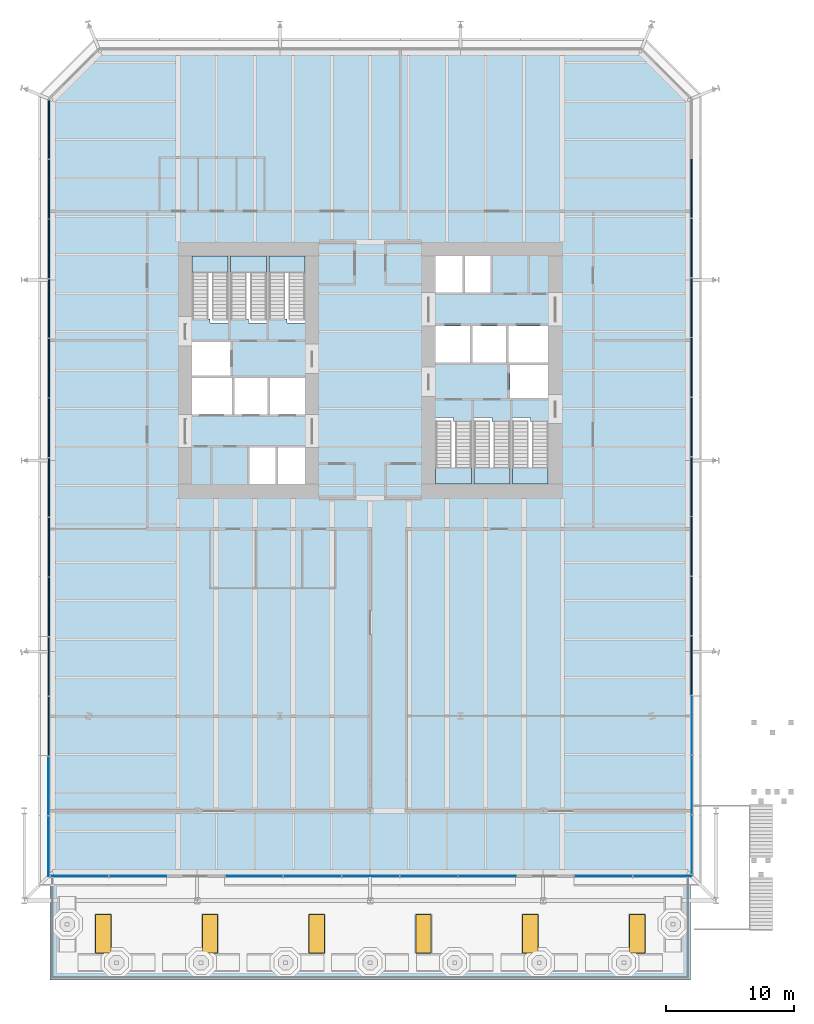
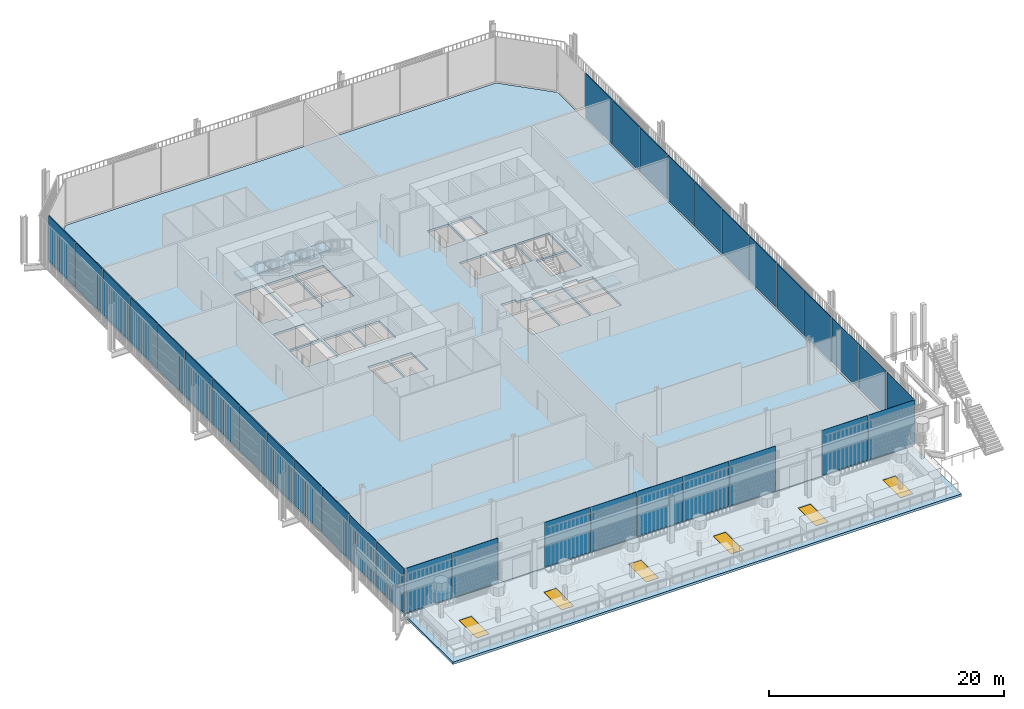
# One storey, part 17 of 25: 34 plates, 8 slabs, 6 windows, 6 openings, 12 elements without a shape of their own.
"""IFC4 building model written with IfcOpenShell, lengths in metres."""

from ifc_helpers import new_model, si_unit, direction, frame, origin, origin_2d, place, context, subcontext, project, spatial, polyline, rectangle, outline, extrude, material, layer, layer_set, type_object, element, fill, aggregate, save


model = new_model("IFC4")

# Units and contexts
model_context = context("Model", 3, precision=1e-05, world=origin(), true_north=direction((0.0, 1.0)))
body_context = subcontext(model_context, "Body", "Model", "MODEL_VIEW")
ifc_project = project(units=[si_unit("LENGTHUNIT", "METRE"), si_unit("AREAUNIT", "SQUARE_METRE"), si_unit("VOLUMEUNIT", "CUBIC_METRE"), si_unit("PLANEANGLEUNIT", "RADIAN"), si_unit("MASSUNIT", "GRAM", prefix="KILO")], contexts=[model_context])

# Site, building, storey
site_placement = place(None, origin())
site = spatial("IfcSite", under=ifc_project, at=site_placement, CompositionType="ELEMENT")
building_placement = place(site_placement, origin())
building = spatial("IfcBuilding", under=site, at=building_placement, Name="Millrace Tower", CompositionType="ELEMENT")
storey_placement = place(building_placement, frame((0.0, 0.0, 6.5)))
storey = spatial("IfcBuildingStorey", under=building, at=storey_placement, Name="L02", CompositionType="ELEMENT", Elevation=6.5)

# Curtain wall, plates
ifc_material_1 = material(Name="Aluminium and glass", Category="aluminium")
ifc_layer_1 = layer(ifc_material_1, 0.14990234375)
ifc_layer_set_1 = layer_set([ifc_layer_1], Name="Aluminium and glass")
curtain_wall_type_1 = type_object("IfcCurtainWallType", Name="CW-2 data hall insulated curtain wall", PredefinedType="NOTDEFINED", material=ifc_layer_set_1)
placement_1 = place(storey_placement, origin())
curtain_wall_1 = element("IfcCurtainWall", 1, at=placement_1, inside=storey, type_object=curtain_wall_type_1, Name="Curtain wall AW2-F02 L02 CW2", PredefinedType="NOTDEFINED")
ifc_material_2 = material(Name="Glass", Category="glass")
ifc_layer_2 = layer(ifc_material_2, 0.10009765625)
ifc_layer_set_2 = layer_set([ifc_layer_2], Name="Glass")
plate_type_1 = type_object("IfcPlateType", Name="CW-2 data hall insulated curtain wall insulated cassette with vision slot", PredefinedType="CURTAIN_PANEL", material=ifc_layer_set_2)
placement_2 = place(storey_placement, frame((0.0, 0.0, 0.159912109375)))
plate_1 = element("IfcPlate", 2, at=placement_2, type_object=plate_type_1, Name="CW2 panel AW2-F02.4", PredefinedType="CURTAIN_PANEL", context=body_context, shape_type="SweptSolid", body=[
    extrude(outline(polyline([(25.125, -25.36181640625), (25.125, -20.769287109375), (25.02490234375, -20.769287109375), (25.02490234375, -25.36181640625), (25.125, -25.36181640625)])), origin(), (0.0, 0.0, 1.0), 4.64013671875),
])
plate_2 = element("IfcPlate", 3, at=placement_2, type_object=plate_type_1, Name="CW2 panel AW2-F02.5", PredefinedType="CURTAIN_PANEL", context=body_context, shape_type="SweptSolid", body=[
    extrude(outline(polyline([(25.125, -20.704345703125), (25.125, -16.111572265625), (25.02490234375, -16.111572265625), (25.02490234375, -20.704345703125), (25.125, -20.704345703125)])), origin(), (0.0, 0.0, 1.0), 4.64013671875),
])
plate_3 = element("IfcPlate", 4, at=placement_2, type_object=plate_type_1, Name="CW2 panel AW2-F02.6", PredefinedType="CURTAIN_PANEL", context=body_context, shape_type="SweptSolid", body=[
    extrude(outline(polyline([(25.125, -16.046630859375), (25.125, -11.453857421875), (25.02490234375, -11.453857421875), (25.02490234375, -16.046630859375), (25.125, -16.046630859375)])), origin(), (0.0, 0.0, 1.0), 4.64013671875),
])
plate_4 = element("IfcPlate", 5, at=placement_2, type_object=plate_type_1, Name="CW2 panel AW2-F02.7", PredefinedType="CURTAIN_PANEL", context=body_context, shape_type="SweptSolid", body=[
    extrude(outline(polyline([(25.125, -11.388916015625), (25.125, -6.796142578125), (25.02490234375, -6.796142578125), (25.02490234375, -11.388916015625), (25.125, -11.388916015625)])), origin(), (0.0, 0.0, 1.0), 4.64013671875),
])
plate_5 = element("IfcPlate", 6, at=placement_2, type_object=plate_type_1, Name="CW2 panel AW2-F02.8", PredefinedType="CURTAIN_PANEL", context=body_context, shape_type="SweptSolid", body=[
    extrude(outline(polyline([(25.125, -6.731201171875), (25.125, -2.138427734375), (25.02490234375, -2.138427734375), (25.02490234375, -6.731201171875), (25.125, -6.731201171875)])), origin(), (0.0, 0.0, 1.0), 4.64013671875),
])
plate_6 = element("IfcPlate", 7, at=placement_2, type_object=plate_type_1, Name="CW2 panel AW2-F02.9", PredefinedType="CURTAIN_PANEL", context=body_context, shape_type="SweptSolid", body=[
    extrude(outline(polyline([(25.125, -2.073486328125), (25.125, 2.519287109375), (25.02490234375, 2.519287109375), (25.02490234375, -2.073486328125), (25.125, -2.073486328125)])), origin(), (0.0, 0.0, 1.0), 4.64013671875),
])
plate_7 = element("IfcPlate", 8, at=placement_2, type_object=plate_type_1, Name="CW2 panel AW2-F02.10", PredefinedType="CURTAIN_PANEL", context=body_context, shape_type="SweptSolid", body=[
    extrude(outline(polyline([(25.125, 2.584228515625), (25.125, 7.177001953125), (25.02490234375, 7.177001953125), (25.02490234375, 2.584228515625), (25.125, 2.584228515625)])), origin(), (0.0, 0.0, 1.0), 4.64013671875),
])
plate_8 = element("IfcPlate", 9, at=placement_2, type_object=plate_type_1, Name="CW2 panel AW2-F02.11", PredefinedType="CURTAIN_PANEL", context=body_context, shape_type="SweptSolid", body=[
    extrude(outline(polyline([(25.125, 7.241943359375), (25.125, 11.834716796875), (25.02490234375, 11.834716796875), (25.02490234375, 7.241943359375), (25.125, 7.241943359375)])), origin(), (0.0, 0.0, 1.0), 4.64013671875),
])
plate_9 = element("IfcPlate", 10, at=placement_2, type_object=plate_type_1, Name="CW2 panel AW2-F02.12", PredefinedType="CURTAIN_PANEL", context=body_context, shape_type="SweptSolid", body=[
    extrude(outline(polyline([(25.125, 11.899658203125), (25.125, 16.4921875), (25.02490234375, 16.4921875), (25.02490234375, 11.899658203125), (25.125, 11.899658203125)])), origin(), (0.0, 0.0, 1.0), 4.64013671875),
])
aggregate(curtain_wall_1, [plate_1, plate_2, plate_3, plate_4, plate_5, plate_6, plate_7, plate_8, plate_9])

curtain_wall_2 = element("IfcCurtainWall", 11, at=placement_1, inside=storey, type_object=curtain_wall_type_1, Name="Curtain wall AW2-F06 L02", PredefinedType="NOTDEFINED")
plate_10 = element("IfcPlate", 12, at=placement_2, type_object=plate_type_1, Name="CW2 panel AW2-F06.1", PredefinedType="CURTAIN_PANEL", context=body_context, shape_type="SweptSolid", body=[
    extrude(outline(polyline([(-25.125, 21.0849609375), (-25.125, 16.4921875), (-25.02490234375, 16.4921875), (-25.02490234375, 21.0849609375), (-25.125, 21.0849609375)])), origin(), (0.0, 0.0, 1.0), 4.64013671875),
])
plate_11 = element("IfcPlate", 13, at=placement_2, type_object=plate_type_1, Name="CW2 panel AW2-F06.2", PredefinedType="CURTAIN_PANEL", context=body_context, shape_type="SweptSolid", body=[
    extrude(outline(polyline([(-25.125, 16.42724609375), (-25.125, 11.834716796875), (-25.02490234375, 11.834716796875), (-25.02490234375, 16.42724609375), (-25.125, 16.42724609375)])), origin(), (0.0, 0.0, 1.0), 4.64013671875),
])
plate_12 = element("IfcPlate", 14, at=placement_2, type_object=plate_type_1, Name="CW2 panel AW2-F06.3", PredefinedType="CURTAIN_PANEL", context=body_context, shape_type="SweptSolid", body=[
    extrude(outline(polyline([(-25.125, 11.76953125), (-25.125, 7.177001953125), (-25.02490234375, 7.177001953125), (-25.02490234375, 11.76953125), (-25.125, 11.76953125)])), origin(), (0.0, 0.0, 1.0), 4.64013671875),
])
plate_13 = element("IfcPlate", 15, at=placement_2, type_object=plate_type_1, Name="CW2 panel AW2-F06.4", PredefinedType="CURTAIN_PANEL", context=body_context, shape_type="SweptSolid", body=[
    extrude(outline(polyline([(-25.125, 7.11181640625), (-25.125, 2.519287109375), (-25.02490234375, 2.519287109375), (-25.02490234375, 7.11181640625), (-25.125, 7.11181640625)])), origin(), (0.0, 0.0, 1.0), 4.64013671875),
])
plate_14 = element("IfcPlate", 16, at=placement_2, type_object=plate_type_1, Name="CW2 panel AW2-F06.5", PredefinedType="CURTAIN_PANEL", context=body_context, shape_type="SweptSolid", body=[
    extrude(outline(polyline([(-25.125, 2.454345703125), (-25.125, -2.138427734375), (-25.02490234375, -2.138427734375), (-25.02490234375, 2.454345703125), (-25.125, 2.454345703125)])), origin(), (0.0, 0.0, 1.0), 4.64013671875),
])
plate_15 = element("IfcPlate", 17, at=placement_2, type_object=plate_type_1, Name="CW2 panel AW2-F06.6", PredefinedType="CURTAIN_PANEL", context=body_context, shape_type="SweptSolid", body=[
    extrude(outline(polyline([(-25.125, -2.203369140625), (-25.125, -6.796142578125), (-25.02490234375, -6.796142578125), (-25.02490234375, -2.203369140625), (-25.125, -2.203369140625)])), origin(), (0.0, 0.0, 1.0), 4.64013671875),
])
plate_16 = element("IfcPlate", 18, at=placement_2, type_object=plate_type_1, Name="CW2 panel AW2-F06.7", PredefinedType="CURTAIN_PANEL", context=body_context, shape_type="SweptSolid", body=[
    extrude(outline(polyline([(-25.125, -6.861083984375), (-25.125, -11.453857421875), (-25.02490234375, -11.453857421875), (-25.02490234375, -6.861083984375), (-25.125, -6.861083984375)])), origin(), (0.0, 0.0, 1.0), 4.64013671875),
])
plate_17 = element("IfcPlate", 19, at=placement_2, type_object=plate_type_1, Name="CW2 panel AW2-F06.8", PredefinedType="CURTAIN_PANEL", context=body_context, shape_type="SweptSolid", body=[
    extrude(outline(polyline([(-25.125, -11.518798828125), (-25.125, -16.111572265625), (-25.02490234375, -16.111572265625), (-25.02490234375, -11.518798828125), (-25.125, -11.518798828125)])), origin(), (0.0, 0.0, 1.0), 4.64013671875),
])
plate_18 = element("IfcPlate", 20, at=placement_2, type_object=plate_type_1, Name="CW2 panel AW2-F06.9", PredefinedType="CURTAIN_PANEL", context=body_context, shape_type="SweptSolid", body=[
    extrude(outline(polyline([(-25.125, -16.176513671875), (-25.125, -20.769287109375), (-25.02490234375, -20.769287109375), (-25.02490234375, -16.176513671875), (-25.125, -16.176513671875)])), origin(), (0.0, 0.0, 1.0), 4.64013671875),
])
aggregate(curtain_wall_2, [plate_10, plate_11, plate_12, plate_13, plate_14, plate_15, plate_16, plate_17, plate_18])

ifc_material_3 = material(Name="Aluminium and glass", Category="aluminium")
ifc_layer_3 = layer(ifc_material_3, 0.14990234375)
ifc_layer_set_3 = layer_set([ifc_layer_3], Name="Aluminium and glass")
curtain_wall_type_2 = type_object("IfcCurtainWallType", Name="CW-5 truss and plant storey louvred infill", PredefinedType="NOTDEFINED", material=ifc_layer_set_3)
curtain_wall_3 = element("IfcCurtainWall", 21, at=placement_1, inside=storey, type_object=curtain_wall_type_2, Name="Curtain wall AW2-F06 L02 CW5", PredefinedType="NOTDEFINED")
ifc_material_4 = material(Name="Glass", Category="glass")
ifc_layer_4 = layer(ifc_material_4, 0.090087890625)
ifc_layer_set_4 = layer_set([ifc_layer_4], Name="Glass")
plate_type_2 = type_object("IfcPlateType", Name="CW-5 truss and plant storey louvred infill louvre cassette", PredefinedType="CURTAIN_PANEL", material=ifc_layer_set_4)
placement_3 = place(storey_placement, frame((0.0, 0.0, 0.139892578125)))
plate_19 = element("IfcPlate", 22, at=placement_3, type_object=plate_type_2, Name="CW5 panel AW2-F06.10", PredefinedType="CURTAIN_PANEL", context=body_context, shape_type="SweptSolid", body=[
    extrude(outline(polyline([(-25.1201171875, -20.834228515625), (-25.1201171875, -25.427001953125), (-25.030029296875, -25.427001953125), (-25.030029296875, -20.834228515625), (-25.1201171875, -20.834228515625)])), origin(), (0.0, 0.0, 1.0), 4.66015625),
])
plate_20 = element("IfcPlate", 23, at=placement_3, type_object=plate_type_2, Name="CW5 panel AW2-F06.11", PredefinedType="CURTAIN_PANEL", context=body_context, shape_type="SweptSolid", body=[
    extrude(outline(polyline([(-25.1201171875, -25.491943359375), (-25.1201171875, -30.084716796875), (-25.030029296875, -30.084716796875), (-25.030029296875, -25.491943359375), (-25.1201171875, -25.491943359375)])), origin(), (0.0, 0.0, 1.0), 4.66015625),
])
aggregate(curtain_wall_3, [plate_19, plate_20])

ifc_material_5 = material(Name="Aluminium and glass", Category="aluminium")
ifc_layer_5 = layer(ifc_material_5, 0.199951171875)
ifc_layer_set_5 = layer_set([ifc_layer_5], Name="Aluminium and glass")
curtain_wall_type_3 = type_object("IfcCurtainWallType", Name="CW-6 lobby and cascade wing storefront", PredefinedType="NOTDEFINED", material=ifc_layer_set_5)
curtain_wall_4 = element("IfcCurtainWall", 24, at=placement_1, inside=storey, type_object=curtain_wall_type_3, Name="Curtain wall AW2-F01 L02", PredefinedType="NOTDEFINED")
ifc_material_6 = material(Name="Glass", Category="glass")
ifc_layer_6 = layer(ifc_material_6, 0.035888671875)
ifc_layer_set_6 = layer_set([ifc_layer_6], Name="Glass")
plate_type_3 = type_object("IfcPlateType", Name="CW-6 lobby and cascade wing storefront laminated glazed storefront panel", PredefinedType="CURTAIN_PANEL", material=ifc_layer_set_6)
placement_4 = place(storey_placement, frame((0.0, 0.0, 0.14990234375)))
plate_21 = element("IfcPlate", 25, at=placement_4, type_object=plate_type_3, Name="CW6 panel AW2-F01.1", PredefinedType="CURTAIN_PANEL", context=body_context, shape_type="SweptSolid", body=[
    extrude(outline(polyline([(-24.925048828125, -39.51806640625), (-20.45458984375, -39.51806640625), (-20.45458984375, -39.48193359375), (-24.925048828125, -39.48193359375), (-24.925048828125, -39.51806640625)])), origin(), (0.0, 0.0, 1.0), 4.650146484375),
])
plate_22 = element("IfcPlate", 26, at=placement_4, type_object=plate_type_3, Name="CW6 panel AW2-F01.2", PredefinedType="CURTAIN_PANEL", context=body_context, shape_type="SweptSolid", body=[
    extrude(outline(polyline([(-20.379638671875, -39.51806640625), (-15.9091796875, -39.51806640625), (-15.9091796875, -39.48193359375), (-20.379638671875, -39.48193359375), (-20.379638671875, -39.51806640625)])), origin(), (0.0, 0.0, 1.0), 4.650146484375),
])
plate_23 = element("IfcPlate", 27, at=placement_4, type_object=plate_type_3, Name="CW6 panel AW2-F01.4", PredefinedType="CURTAIN_PANEL", context=body_context, shape_type="SweptSolid", body=[
    extrude(outline(polyline([(-11.28857421875, -39.51806640625), (-6.818115234375, -39.51806640625), (-6.818115234375, -39.48193359375), (-11.28857421875, -39.48193359375), (-11.28857421875, -39.51806640625)])), origin(), (0.0, 0.0, 1.0), 4.650146484375),
])
plate_24 = element("IfcPlate", 28, at=placement_4, type_object=plate_type_3, Name="CW6 panel AW2-F01.5", PredefinedType="CURTAIN_PANEL", context=body_context, shape_type="SweptSolid", body=[
    extrude(outline(polyline([(-6.7431640625, -39.51806640625), (-2.272705078125, -39.51806640625), (-2.272705078125, -39.48193359375), (-6.7431640625, -39.48193359375), (-6.7431640625, -39.51806640625)])), origin(), (0.0, 0.0, 1.0), 4.650146484375),
])
plate_25 = element("IfcPlate", 29, at=placement_4, type_object=plate_type_3, Name="CW6 panel AW2-F01.6", PredefinedType="CURTAIN_PANEL", context=body_context, shape_type="SweptSolid", body=[
    extrude(outline(polyline([(-2.19775390625, -39.51806640625), (2.272705078125, -39.51806640625), (2.272705078125, -39.48193359375), (-2.19775390625, -39.48193359375), (-2.19775390625, -39.51806640625)])), origin(), (0.0, 0.0, 1.0), 4.650146484375),
])
plate_26 = element("IfcPlate", 30, at=placement_4, type_object=plate_type_3, Name="CW6 panel AW2-F01.7", PredefinedType="CURTAIN_PANEL", context=body_context, shape_type="SweptSolid", body=[
    extrude(outline(polyline([(2.34765625, -39.51806640625), (6.818115234375, -39.51806640625), (6.818115234375, -39.48193359375), (2.34765625, -39.48193359375), (2.34765625, -39.51806640625)])), origin(), (0.0, 0.0, 1.0), 4.650146484375),
])
plate_27 = element("IfcPlate", 31, at=placement_4, type_object=plate_type_3, Name="CW6 panel AW2-F01.8", PredefinedType="CURTAIN_PANEL", context=body_context, shape_type="SweptSolid", body=[
    extrude(outline(polyline([(6.89306640625, -39.51806640625), (11.363525390625, -39.51806640625), (11.363525390625, -39.48193359375), (6.89306640625, -39.48193359375), (6.89306640625, -39.51806640625)])), origin(), (0.0, 0.0, 1.0), 4.650146484375),
])
plate_28 = element("IfcPlate", 32, at=placement_4, type_object=plate_type_3, Name="CW6 panel AW2-F01.10", PredefinedType="CURTAIN_PANEL", context=body_context, shape_type="SweptSolid", body=[
    extrude(outline(polyline([(15.984130859375, -39.51806640625), (20.45458984375, -39.51806640625), (20.45458984375, -39.48193359375), (15.984130859375, -39.48193359375), (15.984130859375, -39.51806640625)])), origin(), (0.0, 0.0, 1.0), 4.650146484375),
])
plate_29 = element("IfcPlate", 33, at=placement_4, type_object=plate_type_3, Name="CW6 panel AW2-F01.11", PredefinedType="CURTAIN_PANEL", context=body_context, shape_type="SweptSolid", body=[
    extrude(outline(polyline([(20.529541015625, -39.51806640625), (25.117919921875, -39.51806640625), (25.08203125, -39.48193359375), (20.529541015625, -39.48193359375), (20.529541015625, -39.51806640625)])), origin(), (0.0, 0.0, 1.0), 4.650146484375),
])
aggregate(curtain_wall_4, [plate_21, plate_22, plate_23, plate_24, plate_25, plate_26, plate_27, plate_28, plate_29])

curtain_wall_5 = element("IfcCurtainWall", 34, at=placement_1, inside=storey, type_object=curtain_wall_type_3, Name="Curtain wall AW2-F02 L02", PredefinedType="NOTDEFINED")
plate_30 = element("IfcPlate", 35, at=placement_4, type_object=plate_type_3, Name="CW6 panel AW2-F02.1", PredefinedType="CURTAIN_PANEL", context=body_context, shape_type="SweptSolid", body=[
    extrude(outline(polyline([(25.117919921875, -39.324951171875), (25.117919921875, -34.7421875), (25.08203125, -34.7421875), (25.08203125, -39.324951171875), (25.117919921875, -39.324951171875)])), origin(), (0.0, 0.0, 1.0), 4.650146484375),
])
plate_31 = element("IfcPlate", 36, at=placement_4, type_object=plate_type_3, Name="CW6 panel AW2-F02.2", PredefinedType="CURTAIN_PANEL", context=body_context, shape_type="SweptSolid", body=[
    extrude(outline(polyline([(25.117919921875, -34.667236328125), (25.117919921875, -30.084716796875), (25.08203125, -30.084716796875), (25.08203125, -34.667236328125), (25.117919921875, -34.667236328125)])), origin(), (0.0, 0.0, 1.0), 4.650146484375),
])
plate_32 = element("IfcPlate", 37, at=placement_4, type_object=plate_type_3, Name="CW6 panel AW2-F02.3", PredefinedType="CURTAIN_PANEL", context=body_context, shape_type="SweptSolid", body=[
    extrude(outline(polyline([(25.117919921875, -30.009521484375), (25.117919921875, -25.427001953125), (25.08203125, -25.427001953125), (25.08203125, -30.009521484375), (25.117919921875, -30.009521484375)])), origin(), (0.0, 0.0, 1.0), 4.650146484375),
])
aggregate(curtain_wall_5, [plate_30, plate_31, plate_32])

curtain_wall_6 = element("IfcCurtainWall", 38, at=placement_1, inside=storey, type_object=curtain_wall_type_3, Name="Curtain wall AW2-F06 L02 CW6", PredefinedType="NOTDEFINED")
plate_33 = element("IfcPlate", 39, at=placement_4, type_object=plate_type_3, Name="CW6 panel AW2-F06.12", PredefinedType="CURTAIN_PANEL", context=body_context, shape_type="SweptSolid", body=[
    extrude(outline(polyline([(-25.117919921875, -30.15966796875), (-25.117919921875, -34.7421875), (-25.08203125, -34.7421875), (-25.08203125, -30.15966796875), (-25.117919921875, -30.15966796875)])), origin(), (0.0, 0.0, 1.0), 4.650146484375),
])
plate_34 = element("IfcPlate", 40, at=placement_4, type_object=plate_type_3, Name="CW6 panel AW2-F06.13", PredefinedType="CURTAIN_PANEL", context=body_context, shape_type="SweptSolid", body=[
    extrude(outline(polyline([(-25.117919921875, -34.8173828125), (-25.117919921875, -39.51806640625), (-25.08203125, -39.48193359375), (-25.08203125, -34.8173828125), (-25.117919921875, -34.8173828125)])), origin(), (0.0, 0.0, 1.0), 4.650146484375),
])
aggregate(curtain_wall_6, [plate_33, plate_34])

# Slab, openings, windows
ifc_material_7 = material(Name="Concrete C40", Category="concrete")
ifc_layer_7 = layer(ifc_material_7, 0.25)
ifc_layer_set_7 = layer_set([ifc_layer_7], Name="Concrete C40")
slab_type_1 = type_object("IfcSlabType", Name="Cascade terrace roof slab 250 mm", PredefinedType="ROOF", material=ifc_layer_set_7)
slab_1_placement = place(storey_placement, frame((0.0, 0.0, -0.2900390625)))
slab_1 = element("IfcSlab", 41, at=slab_1_placement, inside=storey, type_object=slab_type_1, Name="Cascade garden terrace", PredefinedType="ROOF", context=body_context, shape_type="SweptSolid", body=[
    extrude(outline(polyline([(25.0, -47.60009765625), (-25.0, -47.60009765625), (-25.0, -39.39990234375), (25.0, -39.39990234375), (25.0, -47.60009765625)])), origin(), (0.0, 0.0, 1.0), 0.25),
])
opening_1_placement = place(slab_1_placement, frame((-20.833251953125, -44.0, 0.0)))
opening_1 = element("IfcOpeningElement", 42, at=opening_1_placement, cuts=slab_1, Name="Opening WK1", PredefinedType="OPENING", context=body_context, shape_type="SweptSolid", body=[
    extrude(rectangle(XDim=1.199951171875, YDim=3.0, at=origin_2d()), origin(), (0.0, 0.0, 1.0), 0.25),
])
opening_2_placement = place(slab_1_placement, frame((-12.5, -44.0, 0.0)))
opening_2 = element("IfcOpeningElement", 43, at=opening_2_placement, cuts=slab_1, Name="Opening WK1", PredefinedType="OPENING", context=body_context, shape_type="SweptSolid", body=[
    extrude(rectangle(XDim=1.199951171875, YDim=3.0, at=origin_2d()), origin(), (0.0, 0.0, 1.0), 0.25),
])
opening_3_placement = place(slab_1_placement, frame((-4.166748046875, -44.0, 0.0)))
opening_3 = element("IfcOpeningElement", 44, at=opening_3_placement, cuts=slab_1, Name="Opening WK1", PredefinedType="OPENING", context=body_context, shape_type="SweptSolid", body=[
    extrude(rectangle(XDim=1.199951171875, YDim=3.0, at=origin_2d()), origin(), (0.0, 0.0, 1.0), 0.25),
])
opening_4_placement = place(slab_1_placement, frame((4.166748046875, -44.0, 0.0)))
opening_4 = element("IfcOpeningElement", 45, at=opening_4_placement, cuts=slab_1, Name="Opening WK1", PredefinedType="OPENING", context=body_context, shape_type="SweptSolid", body=[
    extrude(rectangle(XDim=1.199951171875, YDim=3.0, at=origin_2d()), origin(), (0.0, 0.0, 1.0), 0.25),
])
opening_5_placement = place(slab_1_placement, frame((12.5, -44.0, 0.0)))
opening_5 = element("IfcOpeningElement", 46, at=opening_5_placement, cuts=slab_1, Name="Opening WK1", PredefinedType="OPENING", context=body_context, shape_type="SweptSolid", body=[
    extrude(rectangle(XDim=1.199951171875, YDim=3.0, at=origin_2d()), origin(), (0.0, 0.0, 1.0), 0.25),
])
opening_6_placement = place(slab_1_placement, frame((20.833251953125, -44.0, 0.0)))
opening_6 = element("IfcOpeningElement", 47, at=opening_6_placement, cuts=slab_1, Name="Opening WK1", PredefinedType="OPENING", context=body_context, shape_type="SweptSolid", body=[
    extrude(rectangle(XDim=1.199951171875, YDim=3.0, at=origin_2d()), origin(), (0.0, 0.0, 1.0), 0.25),
])
ifc_material_8 = material(Name="Laminated safety glass", Category="glass")
window_type = type_object("IfcWindowType", Name="Walk-on rooflight 1200 x 3000", PartitioningType="SINGLE_PANEL", PredefinedType="SKYLIGHT", material=ifc_material_8)
window_1_placement = place(opening_1_placement, frame((0.0, 0.0, 0.199951171875)))
window_1 = element("IfcWindow", 48, at=window_1_placement, inside=storey, type_object=window_type, Name="Walk-on rooflight L01 1.1", OverallHeight=3.0, OverallWidth=1.199951171875, PartitioningType="SINGLE_PANEL", PredefinedType="SKYLIGHT", context=body_context, shape_type="SweptSolid", body=[
    extrude(rectangle(XDim=1.199951171875, YDim=3.0, at=origin_2d()), origin(), (0.0, 0.0, 1.0), 0.050048828125),
])
fill(opening_1, window_1)
window_2_placement = place(opening_2_placement, frame((0.0, 0.0, 0.199951171875)))
window_2 = element("IfcWindow", 49, at=window_2_placement, inside=storey, type_object=window_type, Name="Walk-on rooflight L01 1.2", OverallHeight=3.0, OverallWidth=1.199951171875, PartitioningType="SINGLE_PANEL", PredefinedType="SKYLIGHT", context=body_context, shape_type="SweptSolid", body=[
    extrude(rectangle(XDim=1.199951171875, YDim=3.0, at=origin_2d()), origin(), (0.0, 0.0, 1.0), 0.050048828125),
])
fill(opening_2, window_2)
window_3_placement = place(opening_3_placement, frame((0.0, 0.0, 0.199951171875)))
window_3 = element("IfcWindow", 50, at=window_3_placement, inside=storey, type_object=window_type, Name="Walk-on rooflight L01 1.3", OverallHeight=3.0, OverallWidth=1.199951171875, PartitioningType="SINGLE_PANEL", PredefinedType="SKYLIGHT", context=body_context, shape_type="SweptSolid", body=[
    extrude(rectangle(XDim=1.199951171875, YDim=3.0, at=origin_2d()), origin(), (0.0, 0.0, 1.0), 0.050048828125),
])
fill(opening_3, window_3)
window_4_placement = place(opening_4_placement, frame((0.0, 0.0, 0.199951171875)))
window_4 = element("IfcWindow", 51, at=window_4_placement, inside=storey, type_object=window_type, Name="Walk-on rooflight L01 1.4", OverallHeight=3.0, OverallWidth=1.199951171875, PartitioningType="SINGLE_PANEL", PredefinedType="SKYLIGHT", context=body_context, shape_type="SweptSolid", body=[
    extrude(rectangle(XDim=1.199951171875, YDim=3.0, at=origin_2d()), origin(), (0.0, 0.0, 1.0), 0.050048828125),
])
fill(opening_4, window_4)
window_5_placement = place(opening_5_placement, frame((0.0, 0.0, 0.199951171875)))
window_5 = element("IfcWindow", 52, at=window_5_placement, inside=storey, type_object=window_type, Name="Walk-on rooflight L01 1.5", OverallHeight=3.0, OverallWidth=1.199951171875, PartitioningType="SINGLE_PANEL", PredefinedType="SKYLIGHT", context=body_context, shape_type="SweptSolid", body=[
    extrude(rectangle(XDim=1.199951171875, YDim=3.0, at=origin_2d()), origin(), (0.0, 0.0, 1.0), 0.050048828125),
])
fill(opening_5, window_5)
window_6_placement = place(opening_6_placement, frame((0.0, 0.0, 0.199951171875)))
window_6 = element("IfcWindow", 53, at=window_6_placement, inside=storey, type_object=window_type, Name="Walk-on rooflight L01 1.6", OverallHeight=3.0, OverallWidth=1.199951171875, PartitioningType="SINGLE_PANEL", PredefinedType="SKYLIGHT", context=body_context, shape_type="SweptSolid", body=[
    extrude(rectangle(XDim=1.199951171875, YDim=3.0, at=origin_2d()), origin(), (0.0, 0.0, 1.0), 0.050048828125),
])
fill(opening_6, window_6)

# Slab
ifc_material_9 = material(Name="Concrete C35 on steel deck", Category="concrete")
ifc_layer_8 = layer(ifc_material_9, 0.22509765625)
ifc_layer_set_8 = layer_set([ifc_layer_8], Name="Concrete C35 on steel deck")
slab_type_2 = type_object("IfcSlabType", Name="Composite floor slab 225 mm", PredefinedType="FLOOR", material=ifc_layer_set_8)
slab_2_placement = place(storey_placement, frame((0.0, 0.0, -0.22509765625)))
element("IfcSlab", 54, at=slab_2_placement, inside=storey, type_object=slab_type_2, Name="SL-A-L02-S1", PredefinedType="FLOOR", context=body_context, shape_type="SweptSolid", body=[
    extrude(outline(polyline([(-25.0, -39.39990234375), (25.0, -39.39990234375), (25.0, 21.14990234375), (21.14990234375, 25.0), (-21.14990234375, 25.0), (-25.0, 21.14990234375), (-25.0, -39.39990234375)]), holes=[polyline([(-9.39990234375, -8.89990234375), (-7.39990234375, -8.89990234375), (-7.39990234375, -6.050048828125), (-9.39990234375, -6.050048828125), (-9.39990234375, -8.89990234375)]), polyline([(-7.199951171875, -8.89990234375), (-5.10009765625, -8.89990234375), (-5.10009765625, -6.050048828125), (-7.199951171875, -6.050048828125), (-7.199951171875, -8.89990234375)]), polyline([(-13.89990234375, -3.449951171875), (-10.800048828125, -3.449951171875), (-10.800048828125, -0.60009765625), (-13.89990234375, -0.60009765625), (-13.89990234375, -3.449951171875)]), polyline([(-10.60009765625, -3.449951171875), (-8.0, -3.449951171875), (-8.0, -0.60009765625), (-10.60009765625, -0.60009765625), (-10.60009765625, -3.449951171875)]), polyline([(-7.800048828125, -3.449951171875), (-5.10009765625, -3.449951171875), (-5.10009765625, -0.60009765625), (-7.800048828125, -0.60009765625), (-7.800048828125, -3.449951171875)]), polyline([(-13.89990234375, -0.39990234375), (-10.89990234375, -0.39990234375), (-10.89990234375, 2.179931640625), (-13.89990234375, 2.179931640625), (-13.89990234375, -0.39990234375)]), polyline([(-11.10009765625, 8.89990234375), (-12.5, 8.89990234375), (-13.89990234375, 8.89990234375), (-13.89990234375, 4.0), (-12.5, 4.0), (-12.5, 3.679931640625), (-11.10009765625, 3.679931640625), (-11.10009765625, 8.89990234375)]), polyline([(-8.10009765625, 8.89990234375), (-9.5, 8.89990234375), (-10.89990234375, 8.89990234375), (-10.89990234375, 4.0), (-9.5, 4.0), (-9.5, 3.679931640625), (-8.10009765625, 3.679931640625), (-8.10009765625, 8.89990234375)]), polyline([(-5.10009765625, 8.89990234375), (-6.5, 8.89990234375), (-7.89990234375, 8.89990234375), (-7.89990234375, 4.0), (-6.5, 4.0), (-6.5, 3.679931640625), (-5.10009765625, 3.679931640625), (-5.10009765625, 8.89990234375)]), polyline([(7.39990234375, 6.050048828125), (9.39990234375, 6.050048828125), (9.39990234375, 8.89990234375), (7.39990234375, 8.89990234375), (7.39990234375, 6.050048828125)]), polyline([(5.10009765625, 6.050048828125), (7.199951171875, 6.050048828125), (7.199951171875, 8.89990234375), (5.10009765625, 8.89990234375), (5.10009765625, 6.050048828125)]), polyline([(10.800048828125, 0.60009765625), (13.89990234375, 0.60009765625), (13.89990234375, 3.449951171875), (10.800048828125, 3.449951171875), (10.800048828125, 0.60009765625)]), polyline([(8.0, 0.60009765625), (10.60009765625, 0.60009765625), (10.60009765625, 3.449951171875), (8.0, 3.449951171875), (8.0, 0.60009765625)]), polyline([(5.10009765625, 0.60009765625), (7.800048828125, 0.60009765625), (7.800048828125, 3.449951171875), (5.10009765625, 3.449951171875), (5.10009765625, 0.60009765625)]), polyline([(10.89990234375, -2.179931640625), (13.89990234375, -2.179931640625), (13.89990234375, 0.39990234375), (10.89990234375, 0.39990234375), (10.89990234375, -2.179931640625)]), polyline([(13.89990234375, -4.0), (12.5, -4.0), (12.5, -3.679931640625), (11.10009765625, -3.679931640625), (11.10009765625, -8.89990234375), (12.5, -8.89990234375), (13.89990234375, -8.89990234375), (13.89990234375, -4.0)]), polyline([(10.89990234375, -4.0), (9.5, -4.0), (9.5, -3.679931640625), (8.10009765625, -3.679931640625), (8.10009765625, -8.89990234375), (9.5, -8.89990234375), (10.89990234375, -8.89990234375), (10.89990234375, -4.0)]), polyline([(7.89990234375, -4.0), (6.5, -4.0), (6.5, -3.679931640625), (5.10009765625, -3.679931640625), (5.10009765625, -8.89990234375), (6.5, -8.89990234375), (7.89990234375, -8.89990234375), (7.89990234375, -4.0)])]), origin(), (0.0, 0.0, 1.0), 0.22509765625),
])

# Stair, slab
ifc_material_10 = material(Name="Concrete C35", Category="concrete")
stair_type = type_object("IfcStairType", Name="Exit stair", PredefinedType="HALF_TURN_STAIR", material=ifc_material_10)
stair_1 = element("IfcStair", 55, at=placement_1, inside=storey, type_object=stair_type, Name="Stair 1 W L02", PredefinedType="HALF_TURN_STAIR")
ifc_material_11 = material(Name="Concrete C40", Category="concrete")
ifc_layer_9 = layer(ifc_material_11, 0.199951171875)
ifc_layer_set_9 = layer_set([ifc_layer_9], Name="Concrete C40")
slab_type_3 = type_object("IfcSlabType", Name="Stair landing", PredefinedType="LANDING", material=ifc_layer_set_9)
placement_5 = place(storey_placement, frame((0.0, 0.0, 2.199951171875)))
slab_3 = element("IfcSlab", 56, at=placement_5, type_object=slab_type_3, Name="ST12 landing 1", PredefinedType="LANDING", context=body_context, shape_type="SweptSolid", body=[
    extrude(outline(polyline([(-13.89990234375, 7.639892578125), (-11.10009765625, 7.639892578125), (-11.10009765625, 8.89990234375), (-13.89990234375, 8.89990234375), (-13.89990234375, 7.639892578125)])), origin(), (0.0, 0.0, 1.0), 0.199951171875),
])
aggregate(stair_1, [slab_3])

stair_2 = element("IfcStair", 57, at=placement_1, inside=storey, type_object=stair_type, Name="Stair 2 W L02", PredefinedType="HALF_TURN_STAIR")
slab_4 = element("IfcSlab", 58, at=placement_5, type_object=slab_type_3, Name="ST12 landing 1", PredefinedType="LANDING", context=body_context, shape_type="SweptSolid", body=[
    extrude(outline(polyline([(-10.89990234375, 7.639892578125), (-8.10009765625, 7.639892578125), (-8.10009765625, 8.89990234375), (-10.89990234375, 8.89990234375), (-10.89990234375, 7.639892578125)])), origin(), (0.0, 0.0, 1.0), 0.199951171875),
])
aggregate(stair_2, [slab_4])

stair_3 = element("IfcStair", 59, at=placement_1, inside=storey, type_object=stair_type, Name="Stair 3 W L02", PredefinedType="HALF_TURN_STAIR")
slab_5 = element("IfcSlab", 60, at=placement_5, type_object=slab_type_3, Name="ST12 landing 1", PredefinedType="LANDING", context=body_context, shape_type="SweptSolid", body=[
    extrude(outline(polyline([(-7.89990234375, 7.639892578125), (-5.10009765625, 7.639892578125), (-5.10009765625, 8.89990234375), (-7.89990234375, 8.89990234375), (-7.89990234375, 7.639892578125)])), origin(), (0.0, 0.0, 1.0), 0.199951171875),
])
aggregate(stair_3, [slab_5])

stair_4 = element("IfcStair", 61, at=placement_1, inside=storey, type_object=stair_type, Name="Stair 1 E L02", PredefinedType="HALF_TURN_STAIR")
slab_6 = element("IfcSlab", 62, at=placement_5, type_object=slab_type_3, Name="ST12 landing 1", PredefinedType="LANDING", context=body_context, shape_type="SweptSolid", body=[
    extrude(outline(polyline([(11.10009765625, -8.89990234375), (13.89990234375, -8.89990234375), (13.89990234375, -7.639892578125), (11.10009765625, -7.639892578125), (11.10009765625, -8.89990234375)])), origin(), (0.0, 0.0, 1.0), 0.199951171875),
])
aggregate(stair_4, [slab_6])

stair_5 = element("IfcStair", 63, at=placement_1, inside=storey, type_object=stair_type, Name="Stair 2 E L02", PredefinedType="HALF_TURN_STAIR")
slab_7 = element("IfcSlab", 64, at=placement_5, type_object=slab_type_3, Name="ST12 landing 1", PredefinedType="LANDING", context=body_context, shape_type="SweptSolid", body=[
    extrude(outline(polyline([(8.10009765625, -8.89990234375), (10.89990234375, -8.89990234375), (10.89990234375, -7.639892578125), (8.10009765625, -7.639892578125), (8.10009765625, -8.89990234375)])), origin(), (0.0, 0.0, 1.0), 0.199951171875),
])
aggregate(stair_5, [slab_7])

stair_6 = element("IfcStair", 65, at=placement_1, inside=storey, type_object=stair_type, Name="Stair 3 E L02", PredefinedType="HALF_TURN_STAIR")
slab_8 = element("IfcSlab", 66, at=placement_5, type_object=slab_type_3, Name="ST12 landing 1", PredefinedType="LANDING", context=body_context, shape_type="SweptSolid", body=[
    extrude(outline(polyline([(5.10009765625, -8.89990234375), (7.89990234375, -8.89990234375), (7.89990234375, -7.639892578125), (5.10009765625, -7.639892578125), (5.10009765625, -8.89990234375)])), origin(), (0.0, 0.0, 1.0), 0.199951171875),
])
aggregate(stair_6, [slab_8])

save(model, "model.ifc")
